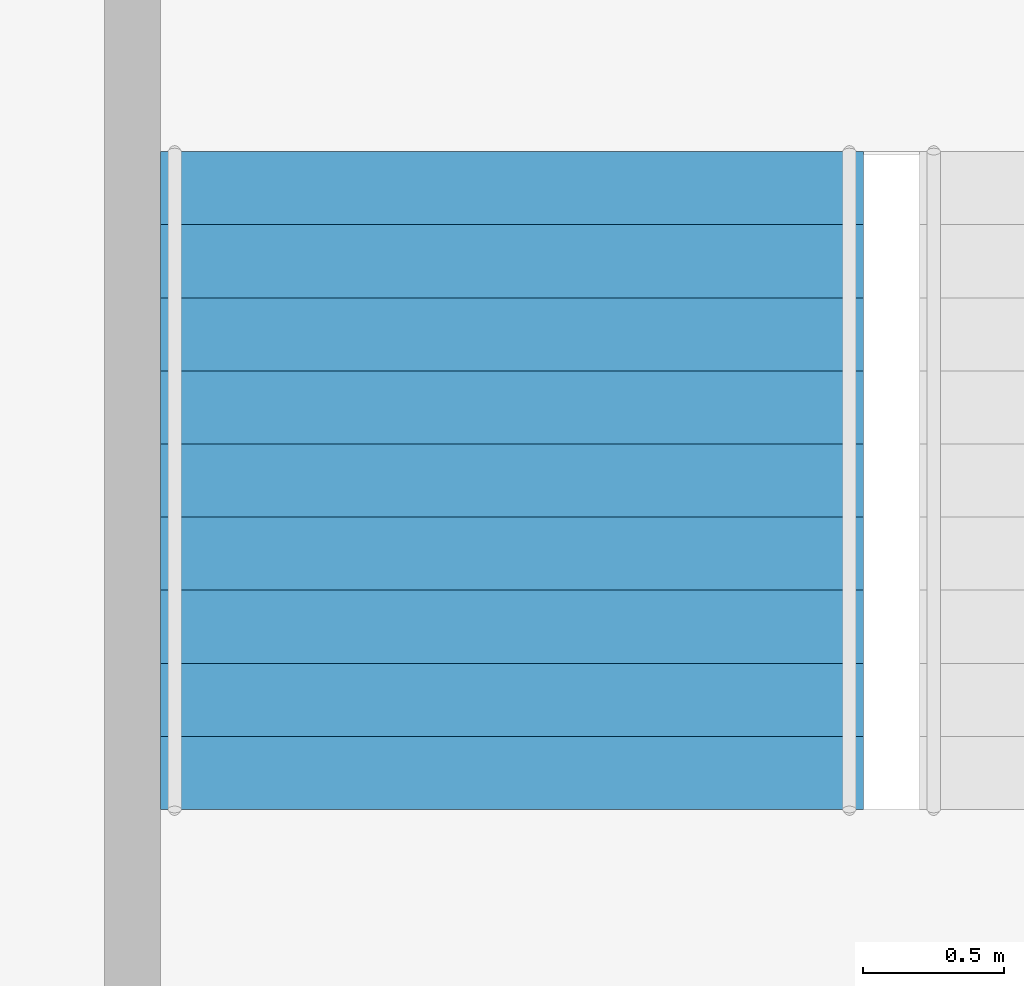
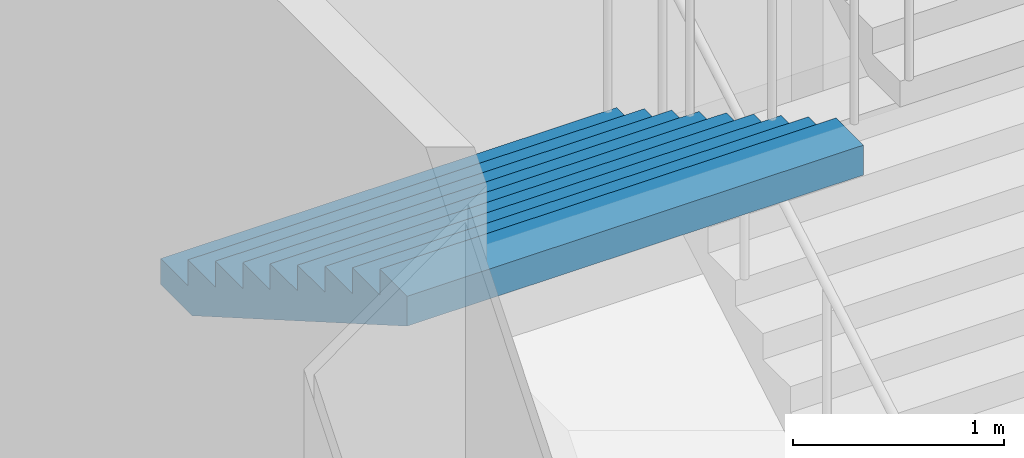
# One storey, part 59 of 100: 1 stair flight, 1 element without a shape of its own.
"""IFC4 building model written with IfcOpenShell, lengths in metres."""

import ifcopenshell
import ifcopenshell.guid

model = None  # the IFC model being written
_history = None  # IfcOwnerHistory: only IFC2X3 demands one
_inside = {}  # id of a spatial element -> (the spatial element, [elements in it])
_under = {}  # id of a project, library or spatial element -> (it, [spatial elements below it])
_declared = {}  # id of a project -> (the project, [libraries it declares])
_typed = {}  # id of a type object -> (the type object, [elements of that type])
_made_of = {}  # id of a material, layer set ... -> (it, [elements and type objects made of it])


def new_model(schema):
    """Start an empty IFC model of exactly this schema.

    Asked for "IFC4X3", IfcOpenShell would pick the latest addendum, in which some entities
    have other attributes; the version numbers below select the first issue.
    IFC2X3 requires an IfcOwnerHistory on every rooted entity: one is made here for all.
    """
    global model, _history
    if schema == "IFC4X3":
        model = ifcopenshell.file(schema_version=(4, 3, 0, 0))
    else:
        model = ifcopenshell.file(schema=schema)
    _inside.clear()
    _under.clear()
    _declared.clear()
    _typed.clear()
    _made_of.clear()
    _history = None
    if model.schema == "IFC2X3":
        org = make("IfcOrganization", Name="unknown")
        user = make(
            "IfcPersonAndOrganization",
            ThePerson=make("IfcPerson", FamilyName="unknown"),
            TheOrganization=org,
        )
        app = make(
            "IfcApplication",
            ApplicationDeveloper=org,
            Version="unknown",
            ApplicationFullName="unknown",
            ApplicationIdentifier="unknown",
        )
        _history = make(
            "IfcOwnerHistory",
            OwningUser=user,
            OwningApplication=app,
            ChangeAction="ADDED",
            CreationDate=0,
        )
    return model


def make(cls, **values):
    """One entity of the class cls with the attributes given. An attribute that is None is left unset."""
    return model.create_entity(
        cls, **{name: value for name, value in values.items() if value is not None}
    )


def rooted(cls, **values):
    """An entity with a GlobalId (a new one), such as an element, a storey or a relation."""
    return make(cls, GlobalId=ifcopenshell.guid.new(), OwnerHistory=_history, **values)


def si_unit(unit_type, name, prefix=None):
    """IfcSIUnit, for example si_unit("LENGTHUNIT", "METRE", prefix="MILLI")."""
    return make("IfcSIUnit", UnitType=unit_type, Prefix=prefix, Name=name)


def assignment(units):
    """IfcUnitAssignment: the units of a project."""
    return None if units is None else make("IfcUnitAssignment", Units=units)


def point(xyz):
    """IfcCartesianPoint."""
    return None if xyz is None else make("IfcCartesianPoint", Coordinates=xyz)


def direction(xyz):
    """IfcDirection."""
    return None if xyz is None else make("IfcDirection", DirectionRatios=xyz)


def frame(location, z_axis=None, x_axis=None):
    """IfcAxis2Placement3D, a coordinate frame: its origin and axes. An axis left out is left unset."""
    return make(
        "IfcAxis2Placement3D",
        Location=point(location),
        Axis=direction(z_axis),
        RefDirection=direction(x_axis),
    )


def origin():
    """The frame at (0, 0, 0) with its axes left unset."""
    return frame((0.0, 0.0, 0.0))


def place(relative_to, where):
    """IfcLocalPlacement: puts the frame where relative to a parent placement (None: the world)."""
    return make(
        "IfcLocalPlacement", PlacementRelTo=relative_to, RelativePlacement=where
    )


def context(
    kind, dimensions, precision=None, world=None, true_north=None, identifier=None
):
    """IfcGeometricRepresentationContext, for example the 3D "Model" context."""
    return make(
        "IfcGeometricRepresentationContext",
        ContextIdentifier=identifier,
        ContextType=kind,
        CoordinateSpaceDimension=dimensions,
        Precision=precision,
        WorldCoordinateSystem=world,
        TrueNorth=true_north,
    )


def subcontext(parent, identifier, kind, view, scale=None):
    """IfcGeometricRepresentationSubContext, for example "Body" below "Model"."""
    return make(
        "IfcGeometricRepresentationSubContext",
        ContextIdentifier=identifier,
        ContextType=kind,
        ParentContext=parent,
        TargetScale=scale,
        TargetView=view,
    )


def project(units=None, contexts=None):
    """IfcProject with its units and contexts."""
    return rooted(
        "IfcProject",
        Name="project",
        RepresentationContexts=contexts,
        UnitsInContext=assignment(units),
    )


def spatial(cls, under=None, at=None, **own):
    """A site, building, storey or space (cls), placed at a placement, below another one or the project."""
    s = rooted(cls, ObjectPlacement=at, **own)
    if under is not None:
        _under.setdefault(under.id(), (under, []))[1].append(s)
    return s


def point_list(points):
    """IfcCartesianPointList2D or 3D."""
    cls = (
        "IfcCartesianPointList2D" if len(points[0]) == 2 else "IfcCartesianPointList3D"
    )
    return make(cls, CoordList=points)


def triangles(points, corners, closed=None, point_numbers=None):
    """IfcTriangulatedFaceSet: each triangle names its three corners, points numbered from 1."""
    return make(
        "IfcTriangulatedFaceSet",
        Coordinates=point_list(points),
        Closed=closed,
        CoordIndex=corners,
        PnIndex=point_numbers,
    )


def shape(context_of_items, identifier, shape_type, items):
    """IfcShapeRepresentation: the items that make up one representation, for example the "Body"."""
    return make(
        "IfcShapeRepresentation",
        ContextOfItems=context_of_items,
        RepresentationIdentifier=identifier,
        RepresentationType=shape_type,
        Items=items,
    )


def material(Name=None, Category=None):
    """IfcMaterial."""
    return make("IfcMaterial", Name=Name, Category=Category)


def made_of(thing, what):
    """Note that an element or type object is made of a material, layer set ...; save() writes the relation."""
    if what is not None:
        _made_of.setdefault(what.id(), (what, []))[1].append(thing)
    return thing


def type_object(cls, material=None, **own):
    """A type object (cls), such as IfcWallType, which elements share."""
    return made_of(rooted(cls, **own), material)


def element(
    cls,
    number,
    at=None,
    inside=None,
    cuts=None,
    type_object=None,
    material=None,
    context=None,
    identifier="Body",
    shape_type=None,
    held_by="IfcProductDefinitionShape",
    body=None,
    shapes=None,
    **own,
):
    """One element of the class cls, such as IfcWall. Its Tag is "e" and its number.

    at: its placement. inside: the storey or other place that contains it. cuts: it is an
    opening in that element (IfcRelVoidsElement). A single representation is given by context,
    identifier, shape_type and body (its items); several are given by shapes. held_by: the class
    of the entity that holds the representations. save() writes the other relations.
    """
    e = rooted(cls, Tag="e%d" % number, ObjectPlacement=at, **own)
    if body is not None:
        shapes = [shape(context, identifier, shape_type, body)]
    if shapes is not None:
        e.Representation = make(held_by, Representations=shapes)
    if inside is not None:
        _inside.setdefault(inside.id(), (inside, []))[1].append(e)
    if cuts is not None:
        rooted(
            "IfcRelVoidsElement", RelatingBuildingElement=cuts, RelatedOpeningElement=e
        )
    if type_object is not None:
        _typed.setdefault(type_object.id(), (type_object, []))[1].append(e)
    return made_of(e, material)


def aggregate(whole, parts):
    """IfcRelAggregates: a whole, such as a stair, and the parts it consists of."""
    return rooted("IfcRelAggregates", RelatingObject=whole, RelatedObjects=parts)


def save(model, path):
    """Write the relations noted so far, then the file.

    IfcRelAggregates (storeys below a building ...), IfcRelContainedInSpatialStructure (elements
    in a storey), IfcRelDefinesByType, IfcRelAssociatesMaterial and IfcRelDeclares: one each for
    every whole, place, type object, material and project.
    """
    for whole, parts in _under.values():
        aggregate(whole, parts)
    for where, things in _inside.values():
        rooted(
            "IfcRelContainedInSpatialStructure",
            RelatedElements=things,
            RelatingStructure=where,
        )
    for kind, things in _typed.values():
        rooted("IfcRelDefinesByType", RelatedObjects=things, RelatingType=kind)
    for what, things in _made_of.values():
        rooted("IfcRelAssociatesMaterial", RelatedObjects=things, RelatingMaterial=what)
    for by, libraries in _declared.values():
        rooted("IfcRelDeclares", RelatingContext=by, RelatedDefinitions=libraries)
    model.write(path)


model = new_model("IFC4")

# Units and contexts
model_context = context("Model", 3, precision=1e-05, world=origin(), true_north=direction((0.0, 1.0)))
body_context = subcontext(model_context, "Body", "Model", "MODEL_VIEW")
ifc_project = project(units=[si_unit("LENGTHUNIT", "METRE"), si_unit("AREAUNIT", "SQUARE_METRE"), si_unit("VOLUMEUNIT", "CUBIC_METRE"), si_unit("PLANEANGLEUNIT", "RADIAN"), si_unit("MASSUNIT", "GRAM", prefix="KILO")], contexts=[model_context])

# Site, building, storey
site_placement = place(None, origin())
site = spatial("IfcSite", under=ifc_project, at=site_placement, CompositionType="ELEMENT")
building_placement = place(site_placement, origin())
building = spatial("IfcBuilding", under=site, at=building_placement, Name="Hakoniwa Tower and Hamabe Station Hall", CompositionType="ELEMENT")
storey_placement = place(building_placement, frame((0.0, 0.0, 9.0)))
storey = spatial("IfcBuildingStorey", under=building, at=storey_placement, Name="L02", CompositionType="ELEMENT", Elevation=9.0)

# Stair, stair flight
ifc_material_1 = material(Name="Concrete C40", Category="concrete")
stair_type = type_object("IfcStairType", Name="STAIR 2500 10X150", PredefinedType="HALF_TURN_STAIR", material=ifc_material_1)
stair_placement = place(storey_placement, origin())
stair = element("IfcStair", 1, at=stair_placement, inside=storey, type_object=stair_type, Name="Escape stair PS1", PredefinedType="HALF_TURN_STAIR")
ifc_material_2 = material(Name="Concrete C40", Category="concrete")
stair_flight_type = type_object("IfcStairFlightType", Name="STAIR FLIGHT 2500", PredefinedType="STRAIGHT", material=ifc_material_2)
stair_flight_placement = place(storey_placement, frame((-47.800048828125, 22.35009765625, 3.0), z_axis=(0.0, 0.0, 1.0), x_axis=(0.0, -1.0, 0.0)))
stair_flight = element("IfcStairFlight", 2, at=stair_flight_placement, type_object=stair_flight_type, Name="PS1 flight 3", NumberOfRisers=10, NumberOfTreads=9, PredefinedType="STRAIGHT", RiserHeight=0.15, TreadLength=0.26, context=body_context, shape_type="Tessellation", body=[
    triangles([(0.0, 1.25, 0.0), (0.260009765625, 1.25, 0.0), (0.300048828125, 1.25, 0.0), (0.52001953125, 1.25, 0.126953125), (0.780029296875, 1.25, 0.27685546875), (1.0400390625, 1.25, 0.427001953125), (1.300048828125, 1.25, 0.576904296875), (1.56005859375, 1.25, 0.72705078125), (1.820068359375, 1.25, 0.876953125), (2.080078125, 1.25, 1.02685546875), (2.340087890625, 1.25, 1.177001953125), (2.340087890625, 1.25, 1.35009765625), (2.080078125, 1.25, 1.35009765625), (2.080078125, 1.25, 1.199951171875), (1.820068359375, 1.25, 1.199951171875), (1.820068359375, 1.25, 1.050048828125), (1.56005859375, 1.25, 1.050048828125), (1.56005859375, 1.25, 0.89990234375), (1.300048828125, 1.25, 0.89990234375), (1.300048828125, 1.25, 0.75), (1.0400390625, 1.25, 0.75), (1.0400390625, 1.25, 0.60009765625), (0.780029296875, 1.25, 0.60009765625), (0.780029296875, 1.25, 0.449951171875), (0.52001953125, 1.25, 0.449951171875), (0.52001953125, 1.25, 0.300048828125), (0.300048828125, 1.25, 0.300048828125), (0.260009765625, 1.25, 0.300048828125), (0.260009765625, 1.25, 0.14990234375), (0.0, 1.25, 0.14990234375), (0.0, 0.06005859375, 0.0), (0.260009765625, 0.06005859375, 0.0), (0.300048828125, 0.06005859375, 0.0), (0.52001953125, 0.06005859375, 0.126953125), (0.780029296875, 0.06005859375, 0.27685546875), (1.0400390625, 0.06005859375, 0.427001953125), (1.300048828125, 0.06005859375, 0.576904296875), (1.56005859375, 0.06005859375, 0.72705078125), (1.820068359375, 0.06005859375, 0.876953125), (2.080078125, 0.06005859375, 1.02685546875), (2.340087890625, 0.06005859375, 1.177001953125), (2.340087890625, 0.06005859375, 1.35009765625), (2.080078125, 0.06005859375, 1.35009765625), (2.080078125, 0.06005859375, 1.199951171875), (1.820068359375, 0.06005859375, 1.199951171875), (1.820068359375, 0.06005859375, 1.050048828125), (1.56005859375, 0.06005859375, 1.050048828125), (1.56005859375, 0.06005859375, 0.89990234375), (1.300048828125, 0.06005859375, 0.89990234375), (1.300048828125, 0.06005859375, 0.75), (1.0400390625, 0.06005859375, 0.75), (1.0400390625, 0.06005859375, 0.60009765625), (0.780029296875, 0.06005859375, 0.60009765625), (0.780029296875, 0.06005859375, 0.449951171875), (0.52001953125, 0.06005859375, 0.449951171875), (0.52001953125, 0.06005859375, 0.300048828125), (0.300048828125, 0.06005859375, 0.300048828125), (0.260009765625, 0.06005859375, 0.300048828125), (0.260009765625, 0.06005859375, 0.14990234375), (0.0, 0.06005859375, 0.14990234375), (0.0, 0.049072265625, 0.0), (0.260009765625, 0.049072265625, 0.0), (0.300048828125, 0.049072265625, 0.0), (0.52001953125, 0.049072265625, 0.126953125), (0.780029296875, 0.049072265625, 0.27685546875), (1.0400390625, 0.049072265625, 0.427001953125), (1.300048828125, 0.049072265625, 0.576904296875), (1.56005859375, 0.049072265625, 0.72705078125), (1.820068359375, 0.049072265625, 0.876953125), (2.080078125, 0.049072265625, 1.02685546875), (2.340087890625, 0.049072265625, 1.177001953125), (2.340087890625, 0.049072265625, 1.35009765625), (2.080078125, 0.049072265625, 1.35009765625), (2.080078125, 0.049072265625, 1.199951171875), (1.820068359375, 0.049072265625, 1.199951171875), (1.820068359375, 0.049072265625, 1.050048828125), (1.56005859375, 0.049072265625, 1.050048828125), (1.56005859375, 0.049072265625, 0.89990234375), (1.300048828125, 0.049072265625, 0.89990234375), (1.300048828125, 0.049072265625, 0.75), (1.0400390625, 0.049072265625, 0.75), (1.0400390625, 0.049072265625, 0.60009765625), (0.780029296875, 0.049072265625, 0.60009765625), (0.780029296875, 0.049072265625, 0.449951171875), (0.52001953125, 0.049072265625, 0.449951171875), (0.52001953125, 0.049072265625, 0.300048828125), (0.300048828125, 0.049072265625, 0.300048828125), (0.260009765625, 0.049072265625, 0.300048828125), (0.260009765625, 0.049072265625, 0.14990234375), (0.0, 0.049072265625, 0.14990234375), (0.0, 0.0380859375, 0.0), (0.260009765625, 0.0380859375, 0.0), (0.300048828125, 0.0380859375, 0.0), (0.52001953125, 0.0380859375, 0.126953125), (0.780029296875, 0.0380859375, 0.27685546875), (1.0400390625, 0.0380859375, 0.427001953125), (1.300048828125, 0.0380859375, 0.576904296875), (1.56005859375, 0.0380859375, 0.72705078125), (1.820068359375, 0.0380859375, 0.876953125), (2.080078125, 0.0380859375, 1.02685546875), (2.340087890625, 0.0380859375, 1.177001953125), (2.340087890625, 0.0380859375, 1.35009765625), (2.080078125, 0.0380859375, 1.35009765625), (2.080078125, 0.0380859375, 1.199951171875), (1.820068359375, 0.0380859375, 1.199951171875), (1.820068359375, 0.0380859375, 1.050048828125), (1.56005859375, 0.0380859375, 1.050048828125), (1.56005859375, 0.0380859375, 0.89990234375), (1.300048828125, 0.0380859375, 0.89990234375), (1.300048828125, 0.0380859375, 0.75), (1.0400390625, 0.0380859375, 0.75), (1.0400390625, 0.0380859375, 0.60009765625), (0.780029296875, 0.0380859375, 0.60009765625), (0.780029296875, 0.0380859375, 0.449951171875), (0.52001953125, 0.0380859375, 0.449951171875), (0.52001953125, 0.0380859375, 0.300048828125), (0.300048828125, 0.0380859375, 0.300048828125), (0.260009765625, 0.0380859375, 0.300048828125), (0.260009765625, 0.0380859375, 0.14990234375), (0.0, 0.0380859375, 0.14990234375), (0.0, 0.02734375, 0.0), (0.260009765625, 0.02734375, 0.0), (0.300048828125, 0.02734375, 0.0), (0.52001953125, 0.02734375, 0.126953125), (0.780029296875, 0.02734375, 0.27685546875), (1.0400390625, 0.02734375, 0.427001953125), (1.300048828125, 0.02734375, 0.576904296875), (1.56005859375, 0.02734375, 0.72705078125), (1.820068359375, 0.02734375, 0.876953125), (2.080078125, 0.02734375, 1.02685546875), (2.340087890625, 0.02734375, 1.177001953125), (2.340087890625, 0.02734375, 1.35009765625), (2.080078125, 0.02734375, 1.35009765625), (2.080078125, 0.02734375, 1.199951171875), (1.820068359375, 0.02734375, 1.199951171875), (1.820068359375, 0.02734375, 1.050048828125), (1.56005859375, 0.02734375, 1.050048828125), (1.56005859375, 0.02734375, 0.89990234375), (1.300048828125, 0.02734375, 0.89990234375), (1.300048828125, 0.02734375, 0.75), (1.0400390625, 0.02734375, 0.75), (1.0400390625, 0.02734375, 0.60009765625), (0.780029296875, 0.02734375, 0.60009765625), (0.780029296875, 0.02734375, 0.449951171875), (0.52001953125, 0.02734375, 0.449951171875), (0.52001953125, 0.02734375, 0.300048828125), (0.300048828125, 0.02734375, 0.300048828125), (0.260009765625, 0.02734375, 0.300048828125), (0.260009765625, 0.02734375, 0.14990234375), (0.0, 0.02734375, 0.14990234375), (0.0, 0.016357421875, 0.0), (0.260009765625, 0.016357421875, 0.0), (0.300048828125, 0.016357421875, 0.0), (0.52001953125, 0.016357421875, 0.126953125), (0.780029296875, 0.016357421875, 0.27685546875), (1.0400390625, 0.016357421875, 0.427001953125), (1.300048828125, 0.016357421875, 0.576904296875), (1.56005859375, 0.016357421875, 0.72705078125), (1.820068359375, 0.016357421875, 0.876953125), (2.080078125, 0.016357421875, 1.02685546875), (2.340087890625, 0.016357421875, 1.177001953125), (2.340087890625, 0.016357421875, 1.35009765625), (2.080078125, 0.016357421875, 1.35009765625), (2.080078125, 0.016357421875, 1.199951171875), (1.820068359375, 0.016357421875, 1.199951171875), (1.820068359375, 0.016357421875, 1.050048828125), (1.56005859375, 0.016357421875, 1.050048828125), (1.56005859375, 0.016357421875, 0.89990234375), (1.300048828125, 0.016357421875, 0.89990234375), (1.300048828125, 0.016357421875, 0.75), (1.0400390625, 0.016357421875, 0.75), (1.0400390625, 0.016357421875, 0.60009765625), (0.780029296875, 0.016357421875, 0.60009765625), (0.780029296875, 0.016357421875, 0.449951171875), (0.52001953125, 0.016357421875, 0.449951171875), (0.52001953125, 0.016357421875, 0.300048828125), (0.300048828125, 0.016357421875, 0.300048828125), (0.260009765625, 0.016357421875, 0.300048828125), (0.260009765625, 0.016357421875, 0.14990234375), (0.0, 0.016357421875, 0.14990234375), (0.0, 0.00537109375, 0.0), (0.260009765625, 0.00537109375, 0.0), (0.300048828125, 0.00537109375, 0.0), (0.52001953125, 0.00537109375, 0.126953125), (0.780029296875, 0.00537109375, 0.27685546875), (1.0400390625, 0.00537109375, 0.427001953125), (1.300048828125, 0.00537109375, 0.576904296875), (1.56005859375, 0.00537109375, 0.72705078125), (1.820068359375, 0.00537109375, 0.876953125), (2.080078125, 0.00537109375, 1.02685546875), (2.340087890625, 0.00537109375, 1.177001953125), (2.340087890625, 0.00537109375, 1.35009765625), (2.080078125, 0.00537109375, 1.35009765625), (2.080078125, 0.00537109375, 1.199951171875), (1.820068359375, 0.00537109375, 1.199951171875), (1.820068359375, 0.00537109375, 1.050048828125), (1.56005859375, 0.00537109375, 1.050048828125), (1.56005859375, 0.00537109375, 0.89990234375), (1.300048828125, 0.00537109375, 0.89990234375), (1.300048828125, 0.00537109375, 0.75), (1.0400390625, 0.00537109375, 0.75), (1.0400390625, 0.00537109375, 0.60009765625), (0.780029296875, 0.00537109375, 0.60009765625), (0.780029296875, 0.00537109375, 0.449951171875), (0.52001953125, 0.00537109375, 0.449951171875), (0.52001953125, 0.00537109375, 0.300048828125), (0.300048828125, 0.00537109375, 0.300048828125), (0.260009765625, 0.00537109375, 0.300048828125), (0.260009765625, 0.00537109375, 0.14990234375), (0.0, 0.00537109375, 0.14990234375), (0.0, -0.00537109375, 0.0), (0.260009765625, -0.00537109375, 0.0), (0.300048828125, -0.00537109375, 0.0), (0.52001953125, -0.00537109375, 0.126953125), (0.780029296875, -0.00537109375, 0.27685546875), (1.0400390625, -0.00537109375, 0.427001953125), (1.300048828125, -0.00537109375, 0.576904296875), (1.56005859375, -0.00537109375, 0.72705078125), (1.820068359375, -0.00537109375, 0.876953125), (2.080078125, -0.00537109375, 1.02685546875), (2.340087890625, -0.00537109375, 1.177001953125), (2.340087890625, -0.00537109375, 1.35009765625), (2.080078125, -0.00537109375, 1.35009765625), (2.080078125, -0.00537109375, 1.199951171875), (1.820068359375, -0.00537109375, 1.199951171875), (1.820068359375, -0.00537109375, 1.050048828125), (1.56005859375, -0.00537109375, 1.050048828125), (1.56005859375, -0.00537109375, 0.89990234375), (1.300048828125, -0.00537109375, 0.89990234375), (1.300048828125, -0.00537109375, 0.75), (1.0400390625, -0.00537109375, 0.75), (1.0400390625, -0.00537109375, 0.60009765625), (0.780029296875, -0.00537109375, 0.60009765625), (0.780029296875, -0.00537109375, 0.449951171875), (0.52001953125, -0.00537109375, 0.449951171875), (0.52001953125, -0.00537109375, 0.300048828125), (0.300048828125, -0.00537109375, 0.300048828125), (0.260009765625, -0.00537109375, 0.300048828125), (0.260009765625, -0.00537109375, 0.14990234375), (0.0, -0.00537109375, 0.14990234375), (0.0, -0.016357421875, 0.0), (0.260009765625, -0.016357421875, 0.0), (0.300048828125, -0.016357421875, 0.0), (0.52001953125, -0.016357421875, 0.126953125), (0.780029296875, -0.016357421875, 0.27685546875), (1.0400390625, -0.016357421875, 0.427001953125), (1.300048828125, -0.016357421875, 0.576904296875), (1.56005859375, -0.016357421875, 0.72705078125), (1.820068359375, -0.016357421875, 0.876953125), (2.080078125, -0.016357421875, 1.02685546875), (2.340087890625, -0.016357421875, 1.177001953125), (2.340087890625, -0.016357421875, 1.35009765625), (2.080078125, -0.016357421875, 1.35009765625), (2.080078125, -0.016357421875, 1.199951171875), (1.820068359375, -0.016357421875, 1.199951171875), (1.820068359375, -0.016357421875, 1.050048828125), (1.56005859375, -0.016357421875, 1.050048828125), (1.56005859375, -0.016357421875, 0.89990234375), (1.300048828125, -0.016357421875, 0.89990234375), (1.300048828125, -0.016357421875, 0.75), (1.0400390625, -0.016357421875, 0.75), (1.0400390625, -0.016357421875, 0.60009765625), (0.780029296875, -0.016357421875, 0.60009765625), (0.780029296875, -0.016357421875, 0.449951171875), (0.52001953125, -0.016357421875, 0.449951171875), (0.52001953125, -0.016357421875, 0.300048828125), (0.300048828125, -0.016357421875, 0.300048828125), (0.260009765625, -0.016357421875, 0.300048828125), (0.260009765625, -0.016357421875, 0.14990234375), (0.0, -0.016357421875, 0.14990234375), (0.0, -0.02734375, 0.0), (0.260009765625, -0.02734375, 0.0), (0.300048828125, -0.02734375, 0.0), (0.52001953125, -0.02734375, 0.126953125), (0.780029296875, -0.02734375, 0.27685546875), (1.0400390625, -0.02734375, 0.427001953125), (1.300048828125, -0.02734375, 0.576904296875), (1.56005859375, -0.02734375, 0.72705078125), (1.820068359375, -0.02734375, 0.876953125), (2.080078125, -0.02734375, 1.02685546875), (2.340087890625, -0.02734375, 1.177001953125), (2.340087890625, -0.02734375, 1.35009765625), (2.080078125, -0.02734375, 1.35009765625), (2.080078125, -0.02734375, 1.199951171875), (1.820068359375, -0.02734375, 1.199951171875), (1.820068359375, -0.02734375, 1.050048828125), (1.56005859375, -0.02734375, 1.050048828125), (1.56005859375, -0.02734375, 0.89990234375), (1.300048828125, -0.02734375, 0.89990234375), (1.300048828125, -0.02734375, 0.75), (1.0400390625, -0.02734375, 0.75), (1.0400390625, -0.02734375, 0.60009765625), (0.780029296875, -0.02734375, 0.60009765625), (0.780029296875, -0.02734375, 0.449951171875), (0.52001953125, -0.02734375, 0.449951171875), (0.52001953125, -0.02734375, 0.300048828125), (0.300048828125, -0.02734375, 0.300048828125), (0.260009765625, -0.02734375, 0.300048828125), (0.260009765625, -0.02734375, 0.14990234375), (0.0, -0.02734375, 0.14990234375), (0.0, -0.0380859375, 0.0), (0.260009765625, -0.0380859375, 0.0), (0.300048828125, -0.0380859375, 0.0), (0.52001953125, -0.0380859375, 0.126953125), (0.780029296875, -0.0380859375, 0.27685546875), (1.0400390625, -0.0380859375, 0.427001953125), (1.300048828125, -0.0380859375, 0.576904296875), (1.56005859375, -0.0380859375, 0.72705078125), (1.820068359375, -0.0380859375, 0.876953125), (2.080078125, -0.0380859375, 1.02685546875), (2.340087890625, -0.0380859375, 1.177001953125), (2.340087890625, -0.0380859375, 1.35009765625), (2.080078125, -0.0380859375, 1.35009765625), (2.080078125, -0.0380859375, 1.199951171875), (1.820068359375, -0.0380859375, 1.199951171875), (1.820068359375, -0.0380859375, 1.050048828125), (1.56005859375, -0.0380859375, 1.050048828125), (1.56005859375, -0.0380859375, 0.89990234375), (1.300048828125, -0.0380859375, 0.89990234375), (1.300048828125, -0.0380859375, 0.75), (1.0400390625, -0.0380859375, 0.75), (1.0400390625, -0.0380859375, 0.60009765625), (0.780029296875, -0.0380859375, 0.60009765625), (0.780029296875, -0.0380859375, 0.449951171875), (0.52001953125, -0.0380859375, 0.449951171875), (0.52001953125, -0.0380859375, 0.300048828125), (0.300048828125, -0.0380859375, 0.300048828125), (0.260009765625, -0.0380859375, 0.300048828125), (0.260009765625, -0.0380859375, 0.14990234375), (0.0, -0.0380859375, 0.14990234375), (0.0, -0.049072265625, 0.0), (0.260009765625, -0.049072265625, 0.0), (0.300048828125, -0.049072265625, 0.0), (0.52001953125, -0.049072265625, 0.126953125), (0.780029296875, -0.049072265625, 0.27685546875), (1.0400390625, -0.049072265625, 0.427001953125), (1.300048828125, -0.049072265625, 0.576904296875), (1.56005859375, -0.049072265625, 0.72705078125), (1.820068359375, -0.049072265625, 0.876953125), (2.080078125, -0.049072265625, 1.02685546875), (2.340087890625, -0.049072265625, 1.177001953125), (2.340087890625, -0.049072265625, 1.35009765625), (2.080078125, -0.049072265625, 1.35009765625), (2.080078125, -0.049072265625, 1.199951171875), (1.820068359375, -0.049072265625, 1.199951171875), (1.820068359375, -0.049072265625, 1.050048828125), (1.56005859375, -0.049072265625, 1.050048828125), (1.56005859375, -0.049072265625, 0.89990234375), (1.300048828125, -0.049072265625, 0.89990234375), (1.300048828125, -0.049072265625, 0.75), (1.0400390625, -0.049072265625, 0.75), (1.0400390625, -0.049072265625, 0.60009765625), (0.780029296875, -0.049072265625, 0.60009765625), (0.780029296875, -0.049072265625, 0.449951171875), (0.52001953125, -0.049072265625, 0.449951171875), (0.52001953125, -0.049072265625, 0.300048828125), (0.300048828125, -0.049072265625, 0.300048828125), (0.260009765625, -0.049072265625, 0.300048828125), (0.260009765625, -0.049072265625, 0.14990234375), (0.0, -0.049072265625, 0.14990234375), (0.0, -0.06005859375, 0.0), (0.260009765625, -0.06005859375, 0.0), (0.300048828125, -0.06005859375, 0.0), (0.52001953125, -0.06005859375, 0.126953125), (0.780029296875, -0.06005859375, 0.27685546875), (1.0400390625, -0.06005859375, 0.427001953125), (1.300048828125, -0.06005859375, 0.576904296875), (1.56005859375, -0.06005859375, 0.72705078125), (1.820068359375, -0.06005859375, 0.876953125), (2.080078125, -0.06005859375, 1.02685546875), (2.340087890625, -0.06005859375, 1.177001953125), (2.340087890625, -0.06005859375, 1.35009765625), (2.080078125, -0.06005859375, 1.35009765625), (2.080078125, -0.06005859375, 1.199951171875), (1.820068359375, -0.06005859375, 1.199951171875), (1.820068359375, -0.06005859375, 1.050048828125), (1.56005859375, -0.06005859375, 1.050048828125), (1.56005859375, -0.06005859375, 0.89990234375), (1.300048828125, -0.06005859375, 0.89990234375), (1.300048828125, -0.06005859375, 0.75), (1.0400390625, -0.06005859375, 0.75), (1.0400390625, -0.06005859375, 0.60009765625), (0.780029296875, -0.06005859375, 0.60009765625), (0.780029296875, -0.06005859375, 0.449951171875), (0.52001953125, -0.06005859375, 0.449951171875), (0.52001953125, -0.06005859375, 0.300048828125), (0.300048828125, -0.06005859375, 0.300048828125), (0.260009765625, -0.06005859375, 0.300048828125), (0.260009765625, -0.06005859375, 0.14990234375), (0.0, -0.06005859375, 0.14990234375), (0.0, -1.25, 0.0), (0.260009765625, -1.25, 0.0), (0.300048828125, -1.25, 0.0), (0.52001953125, -1.25, 0.126953125), (0.780029296875, -1.25, 0.27685546875), (1.0400390625, -1.25, 0.427001953125), (1.300048828125, -1.25, 0.576904296875), (1.56005859375, -1.25, 0.72705078125), (1.820068359375, -1.25, 0.876953125), (2.080078125, -1.25, 1.02685546875), (2.340087890625, -1.25, 1.177001953125), (2.340087890625, -1.25, 1.35009765625), (2.080078125, -1.25, 1.35009765625), (2.080078125, -1.25, 1.199951171875), (1.820068359375, -1.25, 1.199951171875), (1.820068359375, -1.25, 1.050048828125), (1.56005859375, -1.25, 1.050048828125), (1.56005859375, -1.25, 0.89990234375), (1.300048828125, -1.25, 0.89990234375), (1.300048828125, -1.25, 0.75), (1.0400390625, -1.25, 0.75), (1.0400390625, -1.25, 0.60009765625), (0.780029296875, -1.25, 0.60009765625), (0.780029296875, -1.25, 0.449951171875), (0.52001953125, -1.25, 0.449951171875), (0.52001953125, -1.25, 0.300048828125), (0.300048828125, -1.25, 0.300048828125), (0.260009765625, -1.25, 0.300048828125), (0.260009765625, -1.25, 0.14990234375), (0.0, -1.25, 0.14990234375)], [[2, 30, 29], [392, 419, 420], [2, 1, 30], [392, 420, 391], [3, 28, 27], [393, 417, 418], [3, 29, 28], [393, 418, 419], [3, 2, 29], [393, 419, 392], [4, 27, 26], [394, 416, 417], [4, 3, 27], [394, 417, 393], [5, 25, 24], [395, 414, 415], [5, 26, 25], [395, 415, 416], [5, 4, 26], [395, 416, 394], [6, 23, 22], [396, 412, 413], [6, 24, 23], [396, 413, 414], [6, 5, 24], [396, 414, 395], [7, 21, 20], [397, 410, 411], [7, 22, 21], [397, 411, 412], [7, 6, 22], [397, 412, 396], [8, 19, 18], [398, 408, 409], [8, 20, 19], [398, 409, 410], [8, 7, 20], [398, 410, 397], [9, 17, 16], [399, 406, 407], [9, 18, 17], [399, 407, 408], [9, 8, 18], [399, 408, 398], [10, 15, 14], [400, 404, 405], [10, 16, 15], [400, 405, 406], [10, 9, 16], [400, 406, 399], [11, 13, 12], [401, 402, 403], [11, 14, 13], [401, 403, 404], [11, 10, 14], [401, 404, 400], [1, 2, 32], [1, 32, 31], [31, 32, 62], [31, 62, 61], [61, 62, 92], [61, 92, 91], [91, 92, 122], [91, 122, 121], [121, 122, 152], [121, 152, 151], [151, 152, 182], [151, 182, 181], [181, 182, 212], [181, 212, 211], [211, 212, 242], [211, 242, 241], [241, 242, 272], [241, 272, 271], [271, 272, 302], [271, 302, 301], [301, 302, 332], [301, 332, 331], [331, 332, 362], [331, 362, 361], [361, 362, 392], [361, 392, 391], [2, 3, 33], [2, 33, 32], [32, 33, 63], [32, 63, 62], [62, 63, 93], [62, 93, 92], [92, 93, 123], [92, 123, 122], [122, 123, 153], [122, 153, 152], [152, 153, 183], [152, 183, 182], [182, 183, 213], [182, 213, 212], [212, 213, 243], [212, 243, 242], [242, 243, 273], [242, 273, 272], [272, 273, 303], [272, 303, 302], [302, 303, 333], [302, 333, 332], [332, 333, 363], [332, 363, 362], [362, 363, 393], [362, 393, 392], [3, 4, 34], [3, 34, 33], [33, 34, 64], [33, 64, 63], [63, 64, 94], [63, 94, 93], [93, 94, 124], [93, 124, 123], [123, 124, 154], [123, 154, 153], [153, 154, 184], [153, 184, 183], [183, 184, 214], [183, 214, 213], [213, 214, 244], [213, 244, 243], [243, 244, 274], [243, 274, 273], [273, 274, 304], [273, 304, 303], [303, 304, 334], [303, 334, 333], [333, 334, 364], [333, 364, 363], [363, 364, 394], [363, 394, 393], [4, 5, 35], [4, 35, 34], [34, 35, 65], [34, 65, 64], [64, 65, 95], [64, 95, 94], [94, 95, 125], [94, 125, 124], [124, 125, 155], [124, 155, 154], [154, 155, 185], [154, 185, 184], [184, 185, 215], [184, 215, 214], [214, 215, 245], [214, 245, 244], [244, 245, 275], [244, 275, 274], [274, 275, 305], [274, 305, 304], [304, 305, 335], [304, 335, 334], [334, 335, 365], [334, 365, 364], [364, 365, 395], [364, 395, 394], [5, 6, 36], [5, 36, 35], [35, 36, 66], [35, 66, 65], [65, 66, 96], [65, 96, 95], [95, 96, 126], [95, 126, 125], [125, 126, 156], [125, 156, 155], [155, 156, 186], [155, 186, 185], [185, 186, 216], [185, 216, 215], [215, 216, 246], [215, 246, 245], [245, 246, 276], [245, 276, 275], [275, 276, 306], [275, 306, 305], [305, 306, 336], [305, 336, 335], [335, 336, 366], [335, 366, 365], [365, 366, 396], [365, 396, 395], [6, 7, 37], [6, 37, 36], [36, 37, 67], [36, 67, 66], [66, 67, 97], [66, 97, 96], [96, 97, 127], [96, 127, 126], [126, 127, 157], [126, 157, 156], [156, 157, 187], [156, 187, 186], [186, 187, 217], [186, 217, 216], [216, 217, 247], [216, 247, 246], [246, 247, 277], [246, 277, 276], [276, 277, 307], [276, 307, 306], [306, 307, 337], [306, 337, 336], [336, 337, 367], [336, 367, 366], [366, 367, 397], [366, 397, 396], [7, 8, 38], [7, 38, 37], [37, 38, 68], [37, 68, 67], [67, 68, 98], [67, 98, 97], [97, 98, 128], [97, 128, 127], [127, 128, 158], [127, 158, 157], [157, 158, 188], [157, 188, 187], [187, 188, 218], [187, 218, 217], [217, 218, 248], [217, 248, 247], [247, 248, 278], [247, 278, 277], [277, 278, 308], [277, 308, 307], [307, 308, 338], [307, 338, 337], [337, 338, 368], [337, 368, 367], [367, 368, 398], [367, 398, 397], [8, 9, 39], [8, 39, 38], [38, 39, 69], [38, 69, 68], [68, 69, 99], [68, 99, 98], [98, 99, 129], [98, 129, 128], [128, 129, 159], [128, 159, 158], [158, 159, 189], [158, 189, 188], [188, 189, 219], [188, 219, 218], [218, 219, 249], [218, 249, 248], [248, 249, 279], [248, 279, 278], [278, 279, 309], [278, 309, 308], [308, 309, 339], [308, 339, 338], [338, 339, 369], [338, 369, 368], [368, 369, 399], [368, 399, 398], [9, 10, 40], [9, 40, 39], [39, 40, 70], [39, 70, 69], [69, 70, 100], [69, 100, 99], [99, 100, 130], [99, 130, 129], [129, 130, 160], [129, 160, 159], [159, 160, 190], [159, 190, 189], [189, 190, 220], [189, 220, 219], [219, 220, 250], [219, 250, 249], [249, 250, 280], [249, 280, 279], [279, 280, 310], [279, 310, 309], [309, 310, 340], [309, 340, 339], [339, 340, 370], [339, 370, 369], [369, 370, 400], [369, 400, 399], [10, 11, 41], [10, 41, 40], [40, 41, 71], [40, 71, 70], [70, 71, 101], [70, 101, 100], [100, 101, 131], [100, 131, 130], [130, 131, 161], [130, 161, 160], [160, 161, 191], [160, 191, 190], [190, 191, 221], [190, 221, 220], [220, 221, 251], [220, 251, 250], [250, 251, 281], [250, 281, 280], [280, 281, 311], [280, 311, 310], [310, 311, 341], [310, 341, 340], [340, 341, 371], [340, 371, 370], [370, 371, 401], [370, 401, 400], [11, 12, 42], [11, 42, 41], [41, 42, 72], [41, 72, 71], [71, 72, 102], [71, 102, 101], [101, 102, 132], [101, 132, 131], [131, 132, 162], [131, 162, 161], [161, 162, 192], [161, 192, 191], [191, 192, 222], [191, 222, 221], [221, 222, 252], [221, 252, 251], [251, 252, 282], [251, 282, 281], [281, 282, 312], [281, 312, 311], [311, 312, 342], [311, 342, 341], [341, 342, 372], [341, 372, 371], [371, 372, 402], [371, 402, 401], [12, 13, 43], [12, 43, 42], [42, 43, 73], [42, 73, 72], [72, 73, 103], [72, 103, 102], [102, 103, 133], [102, 133, 132], [132, 133, 163], [132, 163, 162], [162, 163, 193], [162, 193, 192], [192, 193, 223], [192, 223, 222], [222, 223, 253], [222, 253, 252], [252, 253, 283], [252, 283, 282], [282, 283, 313], [282, 313, 312], [312, 313, 343], [312, 343, 342], [342, 343, 373], [342, 373, 372], [372, 373, 403], [372, 403, 402], [13, 14, 44], [13, 44, 43], [43, 44, 74], [43, 74, 73], [73, 74, 104], [73, 104, 103], [103, 104, 134], [103, 134, 133], [133, 134, 164], [133, 164, 163], [163, 164, 194], [163, 194, 193], [193, 194, 224], [193, 224, 223], [223, 224, 254], [223, 254, 253], [253, 254, 284], [253, 284, 283], [283, 284, 314], [283, 314, 313], [313, 314, 344], [313, 344, 343], [343, 344, 374], [343, 374, 373], [373, 374, 404], [373, 404, 403], [14, 15, 45], [14, 45, 44], [44, 45, 75], [44, 75, 74], [74, 75, 105], [74, 105, 104], [104, 105, 135], [104, 135, 134], [134, 135, 165], [134, 165, 164], [164, 165, 195], [164, 195, 194], [194, 195, 225], [194, 225, 224], [224, 225, 255], [224, 255, 254], [254, 255, 285], [254, 285, 284], [284, 285, 315], [284, 315, 314], [314, 315, 345], [314, 345, 344], [344, 345, 375], [344, 375, 374], [374, 375, 405], [374, 405, 404], [15, 16, 46], [15, 46, 45], [45, 46, 76], [45, 76, 75], [75, 76, 106], [75, 106, 105], [105, 106, 136], [105, 136, 135], [135, 136, 166], [135, 166, 165], [165, 166, 196], [165, 196, 195], [195, 196, 226], [195, 226, 225], [225, 226, 256], [225, 256, 255], [255, 256, 286], [255, 286, 285], [285, 286, 316], [285, 316, 315], [315, 316, 346], [315, 346, 345], [345, 346, 376], [345, 376, 375], [375, 376, 406], [375, 406, 405], [16, 17, 47], [16, 47, 46], [46, 47, 77], [46, 77, 76], [76, 77, 107], [76, 107, 106], [106, 107, 137], [106, 137, 136], [136, 137, 167], [136, 167, 166], [166, 167, 197], [166, 197, 196], [196, 197, 227], [196, 227, 226], [226, 227, 257], [226, 257, 256], [256, 257, 287], [256, 287, 286], [286, 287, 317], [286, 317, 316], [316, 317, 347], [316, 347, 346], [346, 347, 377], [346, 377, 376], [376, 377, 407], [376, 407, 406], [17, 18, 48], [17, 48, 47], [47, 48, 78], [47, 78, 77], [77, 78, 108], [77, 108, 107], [107, 108, 138], [107, 138, 137], [137, 138, 168], [137, 168, 167], [167, 168, 198], [167, 198, 197], [197, 198, 228], [197, 228, 227], [227, 228, 258], [227, 258, 257], [257, 258, 288], [257, 288, 287], [287, 288, 318], [287, 318, 317], [317, 318, 348], [317, 348, 347], [347, 348, 378], [347, 378, 377], [377, 378, 408], [377, 408, 407], [18, 19, 49], [18, 49, 48], [48, 49, 79], [48, 79, 78], [78, 79, 109], [78, 109, 108], [108, 109, 139], [108, 139, 138], [138, 139, 169], [138, 169, 168], [168, 169, 199], [168, 199, 198], [198, 199, 229], [198, 229, 228], [228, 229, 259], [228, 259, 258], [258, 259, 289], [258, 289, 288], [288, 289, 319], [288, 319, 318], [318, 319, 349], [318, 349, 348], [348, 349, 379], [348, 379, 378], [378, 379, 409], [378, 409, 408], [19, 20, 50], [19, 50, 49], [49, 50, 80], [49, 80, 79], [79, 80, 110], [79, 110, 109], [109, 110, 140], [109, 140, 139], [139, 140, 170], [139, 170, 169], [169, 170, 200], [169, 200, 199], [199, 200, 230], [199, 230, 229], [229, 230, 260], [229, 260, 259], [259, 260, 290], [259, 290, 289], [289, 290, 320], [289, 320, 319], [319, 320, 350], [319, 350, 349], [349, 350, 380], [349, 380, 379], [379, 380, 410], [379, 410, 409], [20, 21, 51], [20, 51, 50], [50, 51, 81], [50, 81, 80], [80, 81, 111], [80, 111, 110], [110, 111, 141], [110, 141, 140], [140, 141, 171], [140, 171, 170], [170, 171, 201], [170, 201, 200], [200, 201, 231], [200, 231, 230], [230, 231, 261], [230, 261, 260], [260, 261, 291], [260, 291, 290], [290, 291, 321], [290, 321, 320], [320, 321, 351], [320, 351, 350], [350, 351, 381], [350, 381, 380], [380, 381, 411], [380, 411, 410], [21, 22, 52], [21, 52, 51], [51, 52, 82], [51, 82, 81], [81, 82, 112], [81, 112, 111], [111, 112, 142], [111, 142, 141], [141, 142, 172], [141, 172, 171], [171, 172, 202], [171, 202, 201], [201, 202, 232], [201, 232, 231], [231, 232, 262], [231, 262, 261], [261, 262, 292], [261, 292, 291], [291, 292, 322], [291, 322, 321], [321, 322, 352], [321, 352, 351], [351, 352, 382], [351, 382, 381], [381, 382, 412], [381, 412, 411], [22, 23, 53], [22, 53, 52], [52, 53, 83], [52, 83, 82], [82, 83, 113], [82, 113, 112], [112, 113, 143], [112, 143, 142], [142, 143, 173], [142, 173, 172], [172, 173, 203], [172, 203, 202], [202, 203, 233], [202, 233, 232], [232, 233, 263], [232, 263, 262], [262, 263, 293], [262, 293, 292], [292, 293, 323], [292, 323, 322], [322, 323, 353], [322, 353, 352], [352, 353, 383], [352, 383, 382], [382, 383, 413], [382, 413, 412], [23, 24, 54], [23, 54, 53], [53, 54, 84], [53, 84, 83], [83, 84, 114], [83, 114, 113], [113, 114, 144], [113, 144, 143], [143, 144, 174], [143, 174, 173], [173, 174, 204], [173, 204, 203], [203, 204, 234], [203, 234, 233], [233, 234, 264], [233, 264, 263], [263, 264, 294], [263, 294, 293], [293, 294, 324], [293, 324, 323], [323, 324, 354], [323, 354, 353], [353, 354, 384], [353, 384, 383], [383, 384, 414], [383, 414, 413], [24, 25, 55], [24, 55, 54], [54, 55, 85], [54, 85, 84], [84, 85, 115], [84, 115, 114], [114, 115, 145], [114, 145, 144], [144, 145, 175], [144, 175, 174], [174, 175, 205], [174, 205, 204], [204, 205, 235], [204, 235, 234], [234, 235, 265], [234, 265, 264], [264, 265, 295], [264, 295, 294], [294, 295, 325], [294, 325, 324], [324, 325, 355], [324, 355, 354], [354, 355, 385], [354, 385, 384], [384, 385, 415], [384, 415, 414], [25, 26, 56], [25, 56, 55], [55, 56, 86], [55, 86, 85], [85, 86, 116], [85, 116, 115], [115, 116, 146], [115, 146, 145], [145, 146, 176], [145, 176, 175], [175, 176, 206], [175, 206, 205], [205, 206, 236], [205, 236, 235], [235, 236, 266], [235, 266, 265], [265, 266, 296], [265, 296, 295], [295, 296, 326], [295, 326, 325], [325, 326, 356], [325, 356, 355], [355, 356, 386], [355, 386, 385], [385, 386, 416], [385, 416, 415], [26, 27, 57], [26, 57, 56], [56, 57, 87], [56, 87, 86], [86, 87, 117], [86, 117, 116], [116, 117, 147], [116, 147, 146], [146, 147, 177], [146, 177, 176], [176, 177, 207], [176, 207, 206], [206, 207, 237], [206, 237, 236], [236, 237, 267], [236, 267, 266], [266, 267, 297], [266, 297, 296], [296, 297, 327], [296, 327, 326], [326, 327, 357], [326, 357, 356], [356, 357, 387], [356, 387, 386], [386, 387, 417], [386, 417, 416], [27, 28, 58], [27, 58, 57], [57, 58, 88], [57, 88, 87], [87, 88, 118], [87, 118, 117], [117, 118, 148], [117, 148, 147], [147, 148, 178], [147, 178, 177], [177, 178, 208], [177, 208, 207], [207, 208, 238], [207, 238, 237], [237, 238, 268], [237, 268, 267], [267, 268, 298], [267, 298, 297], [297, 298, 328], [297, 328, 327], [327, 328, 358], [327, 358, 357], [357, 358, 388], [357, 388, 387], [387, 388, 418], [387, 418, 417], [28, 29, 59], [28, 59, 58], [58, 59, 89], [58, 89, 88], [88, 89, 119], [88, 119, 118], [118, 119, 149], [118, 149, 148], [148, 149, 179], [148, 179, 178], [178, 179, 209], [178, 209, 208], [208, 209, 239], [208, 239, 238], [238, 239, 269], [238, 269, 268], [268, 269, 299], [268, 299, 298], [298, 299, 329], [298, 329, 328], [328, 329, 359], [328, 359, 358], [358, 359, 389], [358, 389, 388], [388, 389, 419], [388, 419, 418], [29, 30, 60], [29, 60, 59], [59, 60, 90], [59, 90, 89], [89, 90, 120], [89, 120, 119], [119, 120, 150], [119, 150, 149], [149, 150, 180], [149, 180, 179], [179, 180, 210], [179, 210, 209], [209, 210, 240], [209, 240, 239], [239, 240, 270], [239, 270, 269], [269, 270, 300], [269, 300, 299], [299, 300, 330], [299, 330, 329], [329, 330, 360], [329, 360, 359], [359, 360, 390], [359, 390, 389], [389, 390, 420], [389, 420, 419], [30, 1, 31], [30, 31, 60], [60, 31, 61], [60, 61, 90], [90, 61, 91], [90, 91, 120], [120, 91, 121], [120, 121, 150], [150, 121, 151], [150, 151, 180], [180, 151, 181], [180, 181, 210], [210, 181, 211], [210, 211, 240], [240, 211, 241], [240, 241, 270], [270, 241, 271], [270, 271, 300], [300, 271, 301], [300, 301, 330], [330, 301, 331], [330, 331, 360], [360, 331, 361], [360, 361, 390], [390, 361, 391], [390, 391, 420]], closed=True),
])
aggregate(stair, [stair_flight])

save(model, "model.ifc")
